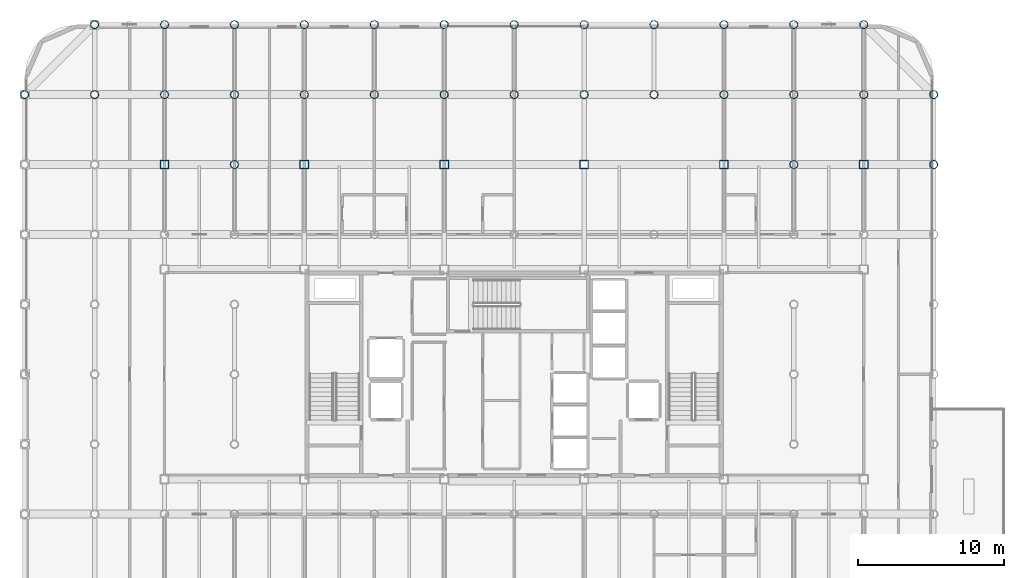
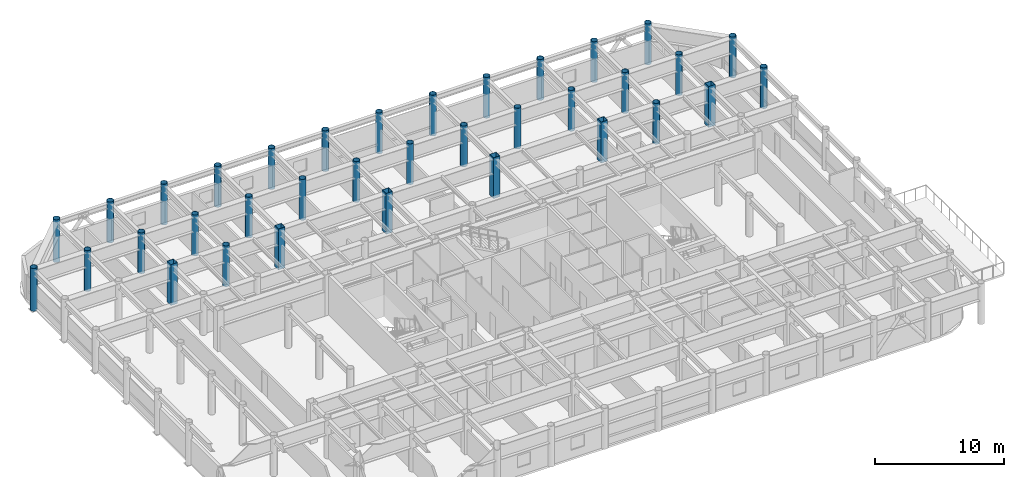
# One storey, part 2 of 25: 35 columns.
"""IFC4 building model written with IfcOpenShell, lengths in metres."""

from ifc_helpers import new_model, si_unit, direction, frame, origin, origin_2d, place, context, subcontext, project, spatial, hollow_rectangle, hollow_circle, extrude, material, material_profile, profile_set, type_object, element, save


model = new_model("IFC4")

# Units and contexts
model_context = context("Model", 3, precision=1e-05, world=origin(), true_north=direction((0.0, 1.0)))
body_context = subcontext(model_context, "Body", "Model", "MODEL_VIEW")
ifc_project = project(units=[si_unit("LENGTHUNIT", "METRE"), si_unit("AREAUNIT", "SQUARE_METRE"), si_unit("VOLUMEUNIT", "CUBIC_METRE"), si_unit("PLANEANGLEUNIT", "RADIAN"), si_unit("MASSUNIT", "GRAM", prefix="KILO")], contexts=[model_context])

# Site, building, storey
site_placement = place(None, origin())
site = spatial("IfcSite", under=ifc_project, at=site_placement, CompositionType="ELEMENT")
building_placement = place(site_placement, origin())
building = spatial("IfcBuilding", under=site, at=building_placement, Name="Kallvorn Hotel Tower", CompositionType="ELEMENT")
storey_placement = place(building_placement, frame((0.0, 0.0, 249.25)))
storey = spatial("IfcBuildingStorey", under=building, at=storey_placement, Name="L62", CompositionType="ELEMENT", Elevation=249.25)

# Columns
ifc_material_1 = material(Name="Structural steel S355J2H", Category="steel")
ifc_material_profile_1 = material_profile(ifc_material_1, hollow_circle(Radius=0.279541015625, WallThickness=0.02490234375, at=origin_2d()), Name="CHS 559x25")
ifc_profile_set_1 = profile_set([ifc_material_profile_1], Name="Structural steel S355J2H")
column_type_1 = type_object("IfcColumnType", Name="COL_CHS_559", PredefinedType="COLUMN", material=ifc_profile_set_1)
column_1_placement = place(storey_placement, frame((-33.60009765625, 19.199951171875, -0.179931640625), z_axis=(0.0, 0.0, 1.0), x_axis=(1.0, 0.0, 0.0)))
element("IfcColumn", 1, at=column_1_placement, inside=storey, type_object=column_type_1, Name="L62 Exoskeleton Column EC08", PredefinedType="COLUMN", context=body_context, shape_type="SweptSolid", body=[
    extrude(hollow_circle(Radius=0.279541015625, WallThickness=0.02490234375, at=origin_2d()), origin(), (0.0, 0.0, 1.0), 4.030029296875),
])
column_2_placement = place(storey_placement, frame((-28.800048828125, 19.199951171875, 0.0), z_axis=(0.0, 0.0, 1.0), x_axis=(1.0, 0.0, 0.0)))
element("IfcColumn", 2, at=column_2_placement, inside=storey, type_object=column_type_1, Name="L62 Exoskeleton Column EC17", PredefinedType="COLUMN", context=body_context, shape_type="SweptSolid", body=[
    extrude(hollow_circle(Radius=0.279541015625, WallThickness=0.02490234375, at=origin_2d()), origin(), (0.0, 0.0, 1.0), 3.85009765625),
])
column_3_placement = place(storey_placement, frame((-28.800048828125, 24.0, -0.179931640625), z_axis=(0.0, 0.0, 1.0), x_axis=(1.0, 0.0, 0.0)))
element("IfcColumn", 3, at=column_3_placement, inside=storey, type_object=column_type_1, Name="L62 Exoskeleton Column EC18", PredefinedType="COLUMN", context=body_context, shape_type="SweptSolid", body=[
    extrude(hollow_circle(Radius=0.279541015625, WallThickness=0.02490234375, at=origin_2d()), origin(), (0.0, 0.0, 1.0), 4.030029296875),
])
for number, where, z_axis, x_axis, name in (
    (4, (-24.0, 19.199951171875, 0.0), (0.0, 0.0, 1.0), (1.0, 0.0, 0.0), "L62 Exoskeleton Column EC22"),
    (5, (-24.0, 24.0, 0.0), (0.0, 0.0, 1.0), (1.0, 0.0, 0.0), "L62 Exoskeleton Column EC23"),
    (6, (-19.199951171875, 14.39990234375, 0.0), (0.0, 0.0, 1.0), (1.0, 0.0, 0.0), "L62 Exoskeleton Column EC31"),
    (7, (-19.199951171875, 19.199951171875, 0.0), (0.0, 0.0, 1.0), (1.0, 0.0, 0.0), "L62 Exoskeleton Column EC32"),
    (8, (-19.199951171875, 24.0, 0.0), (0.0, 0.0, 1.0), (1.0, 0.0, 0.0), "L62 Exoskeleton Column EC33"),
    (9, (-14.39990234375, 19.199951171875, 0.0), (0.0, 0.0, 1.0), (1.0, 0.0, 0.0), "L62 Exoskeleton Column EC35"),
    (10, (-14.39990234375, 24.0, 0.0), (0.0, 0.0, 1.0), (1.0, 0.0, 0.0), "L62 Exoskeleton Column EC36"),
    (11, (-9.60009765625, 19.199951171875, 0.0), (0.0, 0.0, 1.0), (1.0, 0.0, 0.0), "L62 Exoskeleton Column EC40"),
    (12, (-9.60009765625, 24.0, 0.0), (0.0, 0.0, 1.0), (1.0, 0.0, 0.0), "L62 Exoskeleton Column EC41"),
    (13, (-4.800048828125, 19.199951171875, 0.0), (0.0, 0.0, 1.0), (1.0, 0.0, 0.0), "L62 Exoskeleton Column EC43"),
    (14, (-4.800048828125, 24.0, 0.0), (0.0, 0.0, 1.0), (1.0, 0.0, 0.0), "L62 Exoskeleton Column EC44"),
    (15, (0.0, 19.199951171875, 0.0), (0.0, 0.0, 1.0), (1.0, 0.0, 0.0), "L62 Exoskeleton Column EC48"),
    (16, (0.0, 24.0, 0.0), (0.0, 0.0, 1.0), (1.0, 0.0, 0.0), "L62 Exoskeleton Column EC49"),
    (17, (4.800048828125, 19.199951171875, 0.0), (0.0, 0.0, 1.0), (1.0, 0.0, 0.0), "L62 Exoskeleton Column EC51"),
    (18, (4.800048828125, 24.0, 0.0), (0.0, 0.0, 1.0), (1.0, 0.0, 0.0), "L62 Exoskeleton Column EC52"),
    (19, (9.60009765625, 19.199951171875, 0.0), (0.0, 0.0, 1.0), (1.0, 0.0, 0.0), "L62 Exoskeleton Column EC56"),
    (20, (9.60009765625, 24.0, 0.0), (0.0, 0.0, 1.0), (1.0, 0.0, 0.0), "L62 Exoskeleton Column EC57"),
    (21, (14.39990234375, 19.199951171875, 0.0), (0.0, 0.0, 1.0), (1.0, 0.0, 0.0), "L62 Exoskeleton Column EC59"),
    (22, (14.39990234375, 24.0, 0.0), (0.0, 0.0, 1.0), (1.0, 0.0, 0.0), "L62 Exoskeleton Column EC60"),
    (23, (19.199951171875, 14.39990234375, 0.0), (0.0, 0.0, 1.0), (1.0, 0.0, 0.0), "L62 Exoskeleton Column EC68"),
    (24, (19.199951171875, 19.199951171875, 0.0), (0.0, 0.0, 1.0), (1.0, 0.0, 0.0), "L62 Exoskeleton Column EC69"),
    (25, (19.199951171875, 24.0, 0.0), (0.0, 0.0, 1.0), (1.0, 0.0, 0.0), "L62 Exoskeleton Column EC70"),
    (26, (24.0, 19.199951171875, 0.0), (0.0, 0.0, 1.0), (1.0, 0.0, 0.0), "L62 Exoskeleton Column EC74"),
    (27, (24.0, 24.0, 0.0), (0.0, 0.0, 1.0), (1.0, 0.0, 0.0), "L62 Exoskeleton Column EC75"),
    (28, (28.800048828125, 14.39990234375, 0.0), (0.0, 0.0, 1.0), (1.0, 0.0, 0.0), "L62 Exoskeleton Column EC83"),
    (29, (28.800048828125, 19.199951171875, 0.0), (0.0, 0.0, 1.0), (1.0, 0.0, 0.0), "L62 Exoskeleton Column EC84"),
):
    element("IfcColumn", number, at=place(storey_placement, frame(where, z_axis=z_axis, x_axis=x_axis)), inside=storey, type_object=column_type_1, Name=name, PredefinedType="COLUMN", context=body_context, shape_type="SweptSolid", body=[
        extrude(hollow_circle(Radius=0.279541015625, WallThickness=0.02490234375, at=origin_2d()), origin(), (0.0, 0.0, 1.0), 3.85009765625),
    ])
ifc_material_2 = material(Name="Structural steel S355J2H", Category="steel")
ifc_material_profile_2 = material_profile(ifc_material_2, hollow_rectangle(XDim=0.60009765625, YDim=0.60009765625, WallThickness=0.028076171875, at=origin_2d()), Name="RHS 600x600x28")
ifc_profile_set_2 = profile_set([ifc_material_profile_2], Name="Structural steel S355J2H")
column_type_2 = type_object("IfcColumnType", Name="COL_RHS_600", PredefinedType="COLUMN", material=ifc_profile_set_2)
for number, where, z_axis, x_axis, name in (
    (30, (-24.0, 14.39990234375, 0.0), (0.0, 0.0, 1.0), (1.0, 0.0, 0.0), "L62 Inner Column IC04"),
    (31, (-14.39990234375, 14.39990234375, 0.0), (0.0, 0.0, 1.0), (1.0, 0.0, 0.0), "L62 Inner Column IC08"),
    (32, (-4.800048828125, 14.39990234375, 0.0), (0.0, 0.0, 1.0), (1.0, 0.0, 0.0), "L62 Inner Column IC12"),
    (33, (4.800048828125, 14.39990234375, 0.0), (0.0, 0.0, 1.0), (1.0, 0.0, 0.0), "L62 Inner Column IC16"),
    (34, (14.39990234375, 14.39990234375, 0.0), (0.0, 0.0, 1.0), (1.0, 0.0, 0.0), "L62 Inner Column IC20"),
    (35, (24.0, 14.39990234375, 0.0), (0.0, 0.0, 1.0), (1.0, 0.0, 0.0), "L62 Inner Column IC24"),
):
    element("IfcColumn", number, at=place(storey_placement, frame(where, z_axis=z_axis, x_axis=x_axis)), inside=storey, type_object=column_type_2, Name=name, PredefinedType="COLUMN", context=body_context, shape_type="SweptSolid", body=[
        extrude(hollow_rectangle(XDim=0.60009765625, YDim=0.60009765625, WallThickness=0.028076171875, at=origin_2d()), origin(), (0.0, 0.0, 1.0), 3.85009765625),
    ])

save(model, "model.ifc")
